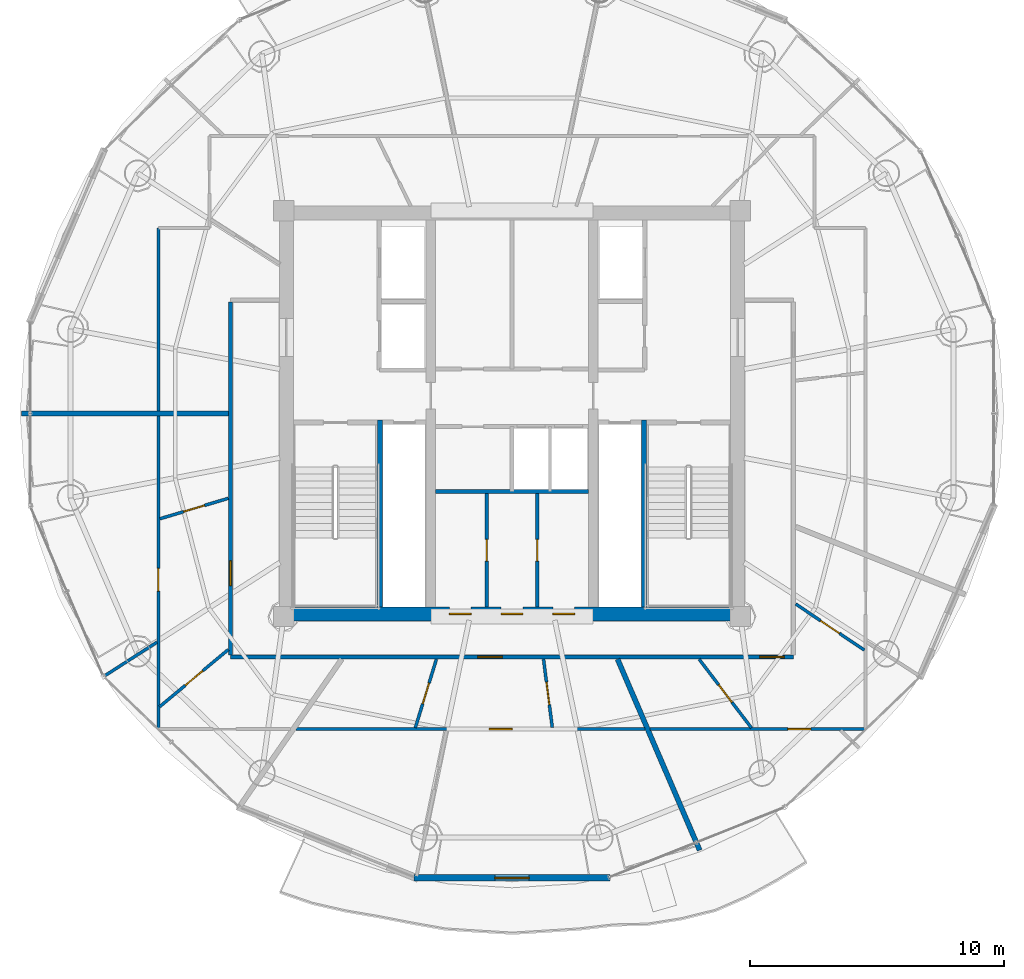
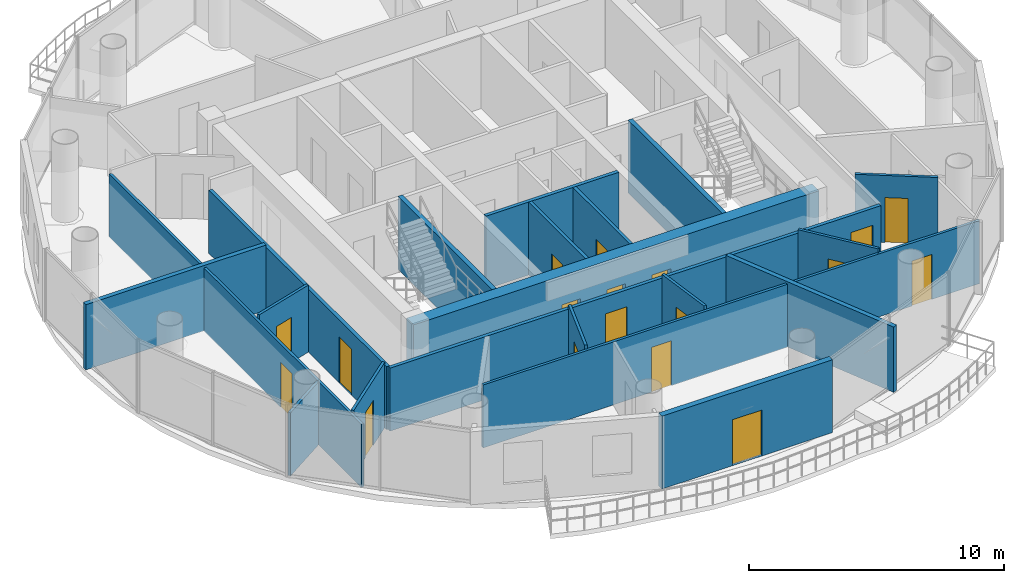
# One storey, part 18 of 24: 22 walls, 18 doors, 18 openings.
"""IFC4 building model written with IfcOpenShell, lengths in metres."""

import ifcopenshell
import ifcopenshell.guid

model = None  # the IFC model being written
_history = None  # IfcOwnerHistory: only IFC2X3 demands one
_inside = {}  # id of a spatial element -> (the spatial element, [elements in it])
_under = {}  # id of a project, library or spatial element -> (it, [spatial elements below it])
_declared = {}  # id of a project -> (the project, [libraries it declares])
_typed = {}  # id of a type object -> (the type object, [elements of that type])
_made_of = {}  # id of a material, layer set ... -> (it, [elements and type objects made of it])


def new_model(schema):
    """Start an empty IFC model of exactly this schema.

    Asked for "IFC4X3", IfcOpenShell would pick the latest addendum, in which some entities
    have other attributes; the version numbers below select the first issue.
    IFC2X3 requires an IfcOwnerHistory on every rooted entity: one is made here for all.
    """
    global model, _history
    if schema == "IFC4X3":
        model = ifcopenshell.file(schema_version=(4, 3, 0, 0))
    else:
        model = ifcopenshell.file(schema=schema)
    _inside.clear()
    _under.clear()
    _declared.clear()
    _typed.clear()
    _made_of.clear()
    _history = None
    if model.schema == "IFC2X3":
        org = make("IfcOrganization", Name="unknown")
        user = make(
            "IfcPersonAndOrganization",
            ThePerson=make("IfcPerson", FamilyName="unknown"),
            TheOrganization=org,
        )
        app = make(
            "IfcApplication",
            ApplicationDeveloper=org,
            Version="unknown",
            ApplicationFullName="unknown",
            ApplicationIdentifier="unknown",
        )
        _history = make(
            "IfcOwnerHistory",
            OwningUser=user,
            OwningApplication=app,
            ChangeAction="ADDED",
            CreationDate=0,
        )
    return model


def make(cls, **values):
    """One entity of the class cls with the attributes given. An attribute that is None is left unset."""
    return model.create_entity(
        cls, **{name: value for name, value in values.items() if value is not None}
    )


def rooted(cls, **values):
    """An entity with a GlobalId (a new one), such as an element, a storey or a relation."""
    return make(cls, GlobalId=ifcopenshell.guid.new(), OwnerHistory=_history, **values)


def si_unit(unit_type, name, prefix=None):
    """IfcSIUnit, for example si_unit("LENGTHUNIT", "METRE", prefix="MILLI")."""
    return make("IfcSIUnit", UnitType=unit_type, Prefix=prefix, Name=name)


def assignment(units):
    """IfcUnitAssignment: the units of a project."""
    return None if units is None else make("IfcUnitAssignment", Units=units)


def point(xyz):
    """IfcCartesianPoint."""
    return None if xyz is None else make("IfcCartesianPoint", Coordinates=xyz)


def direction(xyz):
    """IfcDirection."""
    return None if xyz is None else make("IfcDirection", DirectionRatios=xyz)


def frame(location, z_axis=None, x_axis=None):
    """IfcAxis2Placement3D, a coordinate frame: its origin and axes. An axis left out is left unset."""
    return make(
        "IfcAxis2Placement3D",
        Location=point(location),
        Axis=direction(z_axis),
        RefDirection=direction(x_axis),
    )


def frame_2d(location, x_axis=None):
    """IfcAxis2Placement2D, a coordinate frame in the plane: its origin and x axis."""
    return make(
        "IfcAxis2Placement2D", Location=point(location), RefDirection=direction(x_axis)
    )


def origin():
    """The frame at (0, 0, 0) with its axes left unset."""
    return frame((0.0, 0.0, 0.0))


def place(relative_to, where):
    """IfcLocalPlacement: puts the frame where relative to a parent placement (None: the world)."""
    return make(
        "IfcLocalPlacement", PlacementRelTo=relative_to, RelativePlacement=where
    )


def context(
    kind, dimensions, precision=None, world=None, true_north=None, identifier=None
):
    """IfcGeometricRepresentationContext, for example the 3D "Model" context."""
    return make(
        "IfcGeometricRepresentationContext",
        ContextIdentifier=identifier,
        ContextType=kind,
        CoordinateSpaceDimension=dimensions,
        Precision=precision,
        WorldCoordinateSystem=world,
        TrueNorth=true_north,
    )


def subcontext(parent, identifier, kind, view, scale=None):
    """IfcGeometricRepresentationSubContext, for example "Body" below "Model"."""
    return make(
        "IfcGeometricRepresentationSubContext",
        ContextIdentifier=identifier,
        ContextType=kind,
        ParentContext=parent,
        TargetScale=scale,
        TargetView=view,
    )


def project(units=None, contexts=None):
    """IfcProject with its units and contexts."""
    return rooted(
        "IfcProject",
        Name="project",
        RepresentationContexts=contexts,
        UnitsInContext=assignment(units),
    )


def spatial(cls, under=None, at=None, **own):
    """A site, building, storey or space (cls), placed at a placement, below another one or the project."""
    s = rooted(cls, ObjectPlacement=at, **own)
    if under is not None:
        _under.setdefault(under.id(), (under, []))[1].append(s)
    return s


def profile(cls, at=None, kind="AREA", **sizes):
    """A parametric profile (cls). Its sizes go by their IFC names, for example OverallWidth=200.0."""
    return make(cls, ProfileType=kind, Position=at, **sizes)


def rectangle(**sizes):
    """IfcRectangleProfileDef."""
    return profile("IfcRectangleProfileDef", **sizes)


def extrude(swept, where, along, depth):
    """IfcExtrudedAreaSolid: the profile swept, set in the frame where, extruded along a direction by depth."""
    return make(
        "IfcExtrudedAreaSolid",
        SweptArea=swept,
        Position=where,
        ExtrudedDirection=direction(along),
        Depth=depth,
    )


def shape(context_of_items, identifier, shape_type, items):
    """IfcShapeRepresentation: the items that make up one representation, for example the "Body"."""
    return make(
        "IfcShapeRepresentation",
        ContextOfItems=context_of_items,
        RepresentationIdentifier=identifier,
        RepresentationType=shape_type,
        Items=items,
    )


def source(mapping_origin, context_of_items, identifier, shape_type, items):
    """IfcRepresentationMap: a shape defined once, which mapped items show again and again."""
    return make(
        "IfcRepresentationMap",
        MappingOrigin=mapping_origin,
        MappedRepresentation=shape(context_of_items, identifier, shape_type, items),
    )


def transform(
    local_origin,
    x_axis=None,
    y_axis=None,
    z_axis=None,
    scale=None,
    scale2=None,
    scale3=None,
    uniform=True,
):
    """IfcCartesianTransformationOperator3D, or its non-uniform kind. x_axis, y_axis, z_axis: its Axis1, 2, 3."""
    if uniform:
        return make(
            "IfcCartesianTransformationOperator3D",
            Axis1=direction(x_axis),
            Axis2=direction(y_axis),
            LocalOrigin=point(local_origin),
            Scale=scale,
            Axis3=direction(z_axis),
        )
    return make(
        "IfcCartesianTransformationOperator3DnonUniform",
        Axis1=direction(x_axis),
        Axis2=direction(y_axis),
        LocalOrigin=point(local_origin),
        Scale=scale,
        Axis3=direction(z_axis),
        Scale2=scale2,
        Scale3=scale3,
    )


def mapped(mapping_source, mapping_target):
    """IfcMappedItem: shows the shape of a source again, moved by a transform."""
    return make(
        "IfcMappedItem", MappingSource=mapping_source, MappingTarget=mapping_target
    )


def material(Name=None, Category=None):
    """IfcMaterial."""
    return make("IfcMaterial", Name=Name, Category=Category)


def layer(
    of_material, thickness, ventilated=None, Name=None, Category=None, Priority=None
):
    """IfcMaterialLayer: one layer of a wall or slab, of a material (None: an air gap)."""
    return make(
        "IfcMaterialLayer",
        Material=of_material,
        LayerThickness=thickness,
        IsVentilated=ventilated,
        Name=Name,
        Category=Category,
        Priority=Priority,
    )


def layer_set(layers, Name=None):
    """IfcMaterialLayerSet."""
    return make("IfcMaterialLayerSet", MaterialLayers=layers, LayerSetName=Name)


def made_of(thing, what):
    """Note that an element or type object is made of a material, layer set ...; save() writes the relation."""
    if what is not None:
        _made_of.setdefault(what.id(), (what, []))[1].append(thing)
    return thing


def type_object(cls, material=None, **own):
    """A type object (cls), such as IfcWallType, which elements share."""
    return made_of(rooted(cls, **own), material)


def element(
    cls,
    number,
    at=None,
    inside=None,
    cuts=None,
    type_object=None,
    material=None,
    context=None,
    identifier="Body",
    shape_type=None,
    held_by="IfcProductDefinitionShape",
    body=None,
    shapes=None,
    **own,
):
    """One element of the class cls, such as IfcWall. Its Tag is "e" and its number.

    at: its placement. inside: the storey or other place that contains it. cuts: it is an
    opening in that element (IfcRelVoidsElement). A single representation is given by context,
    identifier, shape_type and body (its items); several are given by shapes. held_by: the class
    of the entity that holds the representations. save() writes the other relations.
    """
    e = rooted(cls, Tag="e%d" % number, ObjectPlacement=at, **own)
    if body is not None:
        shapes = [shape(context, identifier, shape_type, body)]
    if shapes is not None:
        e.Representation = make(held_by, Representations=shapes)
    if inside is not None:
        _inside.setdefault(inside.id(), (inside, []))[1].append(e)
    if cuts is not None:
        rooted(
            "IfcRelVoidsElement", RelatingBuildingElement=cuts, RelatedOpeningElement=e
        )
    if type_object is not None:
        _typed.setdefault(type_object.id(), (type_object, []))[1].append(e)
    return made_of(e, material)


def fill(opening, filler):
    """IfcRelFillsElement: the door or window that sits in an opening."""
    return rooted(
        "IfcRelFillsElement",
        RelatingOpeningElement=opening,
        RelatedBuildingElement=filler,
    )


def aggregate(whole, parts):
    """IfcRelAggregates: a whole, such as a stair, and the parts it consists of."""
    return rooted("IfcRelAggregates", RelatingObject=whole, RelatedObjects=parts)


def save(model, path):
    """Write the relations noted so far, then the file.

    IfcRelAggregates (storeys below a building ...), IfcRelContainedInSpatialStructure (elements
    in a storey), IfcRelDefinesByType, IfcRelAssociatesMaterial and IfcRelDeclares: one each for
    every whole, place, type object, material and project.
    """
    for whole, parts in _under.values():
        aggregate(whole, parts)
    for where, things in _inside.values():
        rooted(
            "IfcRelContainedInSpatialStructure",
            RelatedElements=things,
            RelatingStructure=where,
        )
    for kind, things in _typed.values():
        rooted("IfcRelDefinesByType", RelatedObjects=things, RelatingType=kind)
    for what, things in _made_of.values():
        rooted("IfcRelAssociatesMaterial", RelatedObjects=things, RelatingMaterial=what)
    for by, libraries in _declared.values():
        rooted("IfcRelDeclares", RelatingContext=by, RelatedDefinitions=libraries)
    model.write(path)


model = new_model("IFC4")

# Units and contexts
model_context = context("Model", 3, precision=1e-05, world=origin(), true_north=direction((-0.2419218956, 0.970295726276)))
body_context = subcontext(model_context, "Body", "Model", "MODEL_VIEW")
ifc_project = project(units=[si_unit("LENGTHUNIT", "METRE"), si_unit("AREAUNIT", "SQUARE_METRE"), si_unit("VOLUMEUNIT", "CUBIC_METRE"), si_unit("PLANEANGLEUNIT", "RADIAN"), si_unit("MASSUNIT", "GRAM", prefix="KILO")], contexts=[model_context])

# Site, building, storey
site_placement = place(None, origin())
site = spatial("IfcSite", under=ifc_project, at=site_placement, CompositionType="ELEMENT")
building_placement = place(site_placement, origin())
building = spatial("IfcBuilding", under=site, at=building_placement, Name="Cobrevalo Terracotta Tower", CompositionType="ELEMENT")
storey_placement = place(building_placement, frame((0.0, 0.0, 274.449951171875)))
storey = spatial("IfcBuildingStorey", under=building, at=storey_placement, Name="L72", CompositionType="ELEMENT", Elevation=274.449951171875)

# Wall, openings, doors
ifc_material_1 = material(Name="Concrete C50", Category="concrete")
ifc_layer_1 = layer(ifc_material_1, 0.550048828125)
ifc_layer_set_1 = layer_set([ifc_layer_1], Name="Concrete C50")
wall_type_1 = type_object("IfcWallType", Name="Core shear wall 550 mm Concrete C50", PredefinedType="SHEAR", material=ifc_layer_set_1)
wall_1_placement = place(storey_placement, frame((28.824951171875, 18.89990234375, 0.0), z_axis=(0.0, 0.0, 1.0), x_axis=(1.0, 0.0, 0.0)))
wall_1 = element("IfcWall", 1, at=wall_1_placement, inside=storey, type_object=wall_type_1, Name="L72 south core shear wall", PredefinedType="SHEAR", context=body_context, shape_type="SweptSolid", body=[
    extrude(rectangle(XDim=18.35009765625, YDim=0.550048828125, at=frame_2d((9.175048828125, 0.0))), origin(), (0.0, 0.0, 1.0), 3.489990234375),
])
opening_1_placement = place(wall_1_placement, frame((6.7099609375, 0.0, 0.0)))
opening_1 = element("IfcOpeningElement", 2, at=opening_1_placement, cuts=wall_1, Name="Opening ID-22", PredefinedType="OPENING", context=body_context, shape_type="SweptSolid", body=[
    extrude(rectangle(XDim=0.85009765625, YDim=2.10009765625, at=frame_2d((0.425048828125, 1.050048828125))), frame((0.0, 0.28515625, 0.0), z_axis=(0.0, -1.0, 0.0), x_axis=(1.0, 0.0, 0.0)), (0.0, 0.0, 1.0), 0.570068359375),
])
opening_2_placement = place(wall_1_placement, frame((8.75, 0.0, 0.0)))
opening_2 = element("IfcOpeningElement", 3, at=opening_2_placement, cuts=wall_1, Name="Opening ID-22", PredefinedType="OPENING", context=body_context, shape_type="SweptSolid", body=[
    extrude(rectangle(XDim=0.85009765625, YDim=2.10009765625, at=frame_2d((0.425048828125, 1.050048828125))), frame((0.0, 0.28515625, 0.0), z_axis=(0.0, -1.0, 0.0), x_axis=(1.0, 0.0, 0.0)), (0.0, 0.0, 1.0), 0.570068359375),
])
opening_3_placement = place(wall_1_placement, frame((10.7900390625, 0.0, 0.0)))
opening_3 = element("IfcOpeningElement", 4, at=opening_3_placement, cuts=wall_1, Name="Opening ID-22", PredefinedType="OPENING", context=body_context, shape_type="SweptSolid", body=[
    extrude(rectangle(XDim=0.85009765625, YDim=2.10009765625, at=frame_2d((0.425048828125, 1.050048828125))), frame((0.0, 0.28515625, 0.0), z_axis=(0.0, -1.0, 0.0), x_axis=(1.0, 0.0, 0.0)), (0.0, 0.0, 1.0), 0.570068359375),
])
ifc_material_2 = material(Name="Powder-coated steel", Category="steel")
door_type_1 = type_object("IfcDoorType", Name="Riser shaft & meter closet fire access door 850x2100 EI 60", OperationType="NOTDEFINED", PredefinedType="DOOR", material=ifc_material_2)
shared_shape_1 = source(origin(), body_context, "Body", "SweptSolid", [
    extrude(rectangle(XDim=0.85009765625, YDim=2.10009765625, at=frame_2d((0.425048828125, 1.050048828125))), frame((0.0, 0.02490234375, 0.0), z_axis=(0.0, -1.0, 0.0), x_axis=(1.0, 0.0, 0.0)), (0.0, 0.0, 1.0), 0.050048828125),
])
door_1_placement = place(opening_1_placement, origin())
door_1 = element("IfcDoor", 5, at=door_1_placement, inside=storey, type_object=door_type_1, Name="L72 core south plant door HVAC Supply Air Plant", OperationType="SINGLE_SWING_RIGHT", OverallHeight=2.10009765625, OverallWidth=0.85009765625, PredefinedType="DOOR", context=body_context, shape_type="MappedRepresentation", body=[
    mapped(shared_shape_1, transform((0.0, 0.0, 0.0), scale=1.0)),
])
fill(opening_1, door_1)
door_2_placement = place(opening_2_placement, origin())
door_2 = element("IfcDoor", 6, at=door_2_placement, inside=storey, type_object=door_type_1, Name="L72 core south plant door Refuse Chute Store Room", OperationType="SINGLE_SWING_RIGHT", OverallHeight=2.10009765625, OverallWidth=0.85009765625, PredefinedType="DOOR", context=body_context, shape_type="MappedRepresentation", body=[
    mapped(shared_shape_1, transform((0.0, 0.0, 0.0), scale=1.0)),
])
fill(opening_2, door_2)
door_3_placement = place(opening_3_placement, origin())
door_3 = element("IfcDoor", 7, at=door_3_placement, inside=storey, type_object=door_type_1, Name="L72 core south plant door Hydronic Pump Manifold Plant", OperationType="SINGLE_SWING_RIGHT", OverallHeight=2.10009765625, OverallWidth=0.85009765625, PredefinedType="DOOR", context=body_context, shape_type="MappedRepresentation", body=[
    mapped(shared_shape_1, transform((0.0, 0.0, 0.0), scale=1.0)),
])
fill(opening_3, door_3)

# Wall
ifc_material_3 = material(Name="Gypsum board on steel stud", Category="steel")
ifc_layer_2 = layer(ifc_material_3, 0.159912109375)
ifc_layer_set_2 = layer_set([ifc_layer_2], Name="Gypsum board on steel stud")
wall_type_2 = type_object("IfcWallType", Name="Fire-rated corridor acoustic partition wall 160 mm", PredefinedType="PARTITIONING", material=ifc_layer_set_2)
wall_2_placement = place(storey_placement, frame((34.989990234375, 23.719970703125, 0.0), z_axis=(0.0, 0.0, 1.0), x_axis=(1.0, 0.0, 0.0)))
element("IfcWall", 8, at=wall_2_placement, inside=storey, type_object=wall_type_2, Name="L72 interior partition IW-L72-MB-S", PredefinedType="PARTITIONING", context=body_context, shape_type="SweptSolid", body=[
    extrude(rectangle(XDim=6.02001953125, YDim=0.159912109375, at=frame_2d((3.010009765625, 0.0))), origin(), (0.0, 0.0, 1.0), 3.489990234375),
])

# Wall, openings, doors
wall_3_placement = place(storey_placement, frame((26.89501953125, 17.195068359375, 0.0), z_axis=(0.0, 0.0, 1.0), x_axis=(1.0, 0.0, 0.0)))
wall_3 = element("IfcWall", 9, at=wall_3_placement, inside=storey, type_object=wall_type_2, Name="L72 interior partition IW-L72-COR-S", PredefinedType="PARTITIONING", context=body_context, shape_type="SweptSolid", body=[
    extrude(rectangle(XDim=22.2099609375, YDim=0.159912109375, at=frame_2d((11.10498046875, 0.0))), origin(), (0.0, 0.0, 1.0), 3.01513671875),
])
opening_4_placement = place(wall_3_placement, frame((9.746337890625, 0.0, 0.0)))
opening_4 = element("IfcOpeningElement", 10, at=opening_4_placement, cuts=wall_3, Name="Opening ID-05", PredefinedType="OPENING", context=body_context, shape_type="SweptSolid", body=[
    extrude(rectangle(XDim=0.97998046875, YDim=2.199951171875, at=frame_2d((0.489990234375, 1.10009765625))), frame((0.0, 0.08984375, 0.0), z_axis=(0.0, -1.0, 0.0), x_axis=(1.0, 0.0, 0.0)), (0.0, 0.0, 1.0), 0.179931640625),
])
opening_5_placement = place(wall_3_placement, frame((20.8642578125, 0.0, 0.0)))
opening_5 = element("IfcOpeningElement", 11, at=opening_5_placement, cuts=wall_3, Name="Opening ID-05", PredefinedType="OPENING", context=body_context, shape_type="SweptSolid", body=[
    extrude(rectangle(XDim=0.97998046875, YDim=2.199951171875, at=frame_2d((0.489990234375, 1.10009765625))), frame((0.0, 0.08984375, 0.0), z_axis=(0.0, -1.0, 0.0), x_axis=(1.0, 0.0, 0.0)), (0.0, 0.0, 1.0), 0.179931640625),
])
ifc_material_4 = material(Name="Solid hardwood timber", Category="wood")
door_type_2 = type_object("IfcDoorType", Name="Residence entrance fire-rated acoustic timber door 980x2200 EI 60", OperationType="NOTDEFINED", PredefinedType="DOOR", material=ifc_material_4)
shared_shape_2 = source(origin(), body_context, "Body", "SweptSolid", [
    extrude(rectangle(XDim=0.97998046875, YDim=2.199951171875, at=frame_2d((0.489990234375, 1.10009765625))), frame((0.0, 0.02490234375, 0.0), z_axis=(0.0, -1.0, 0.0), x_axis=(1.0, 0.0, 0.0)), (0.0, 0.0, 1.0), 0.050048828125),
])
door_4_placement = place(opening_4_placement, frame((0.97998046875, 0.0, 0.0), z_axis=(0.0, 0.0, 1.0), x_axis=(-1.0, 0.0, 0.0)))
door_4 = element("IfcDoor", 12, at=door_4_placement, inside=storey, type_object=door_type_2, Name="Flat L72C fire-rated apartment entrance door", OperationType="SINGLE_SWING_LEFT", OverallHeight=2.199951171875, OverallWidth=0.97998046875, PredefinedType="DOOR", context=body_context, shape_type="MappedRepresentation", body=[
    mapped(shared_shape_2, transform((0.0, 0.0, 0.0), scale=1.0)),
])
fill(opening_4, door_4)
door_5_placement = place(opening_5_placement, frame((0.97998046875, 0.0, 0.0), z_axis=(0.0, 0.0, 1.0), x_axis=(-1.0, 0.0, 0.0)))
door_5 = element("IfcDoor", 13, at=door_5_placement, inside=storey, type_object=door_type_2, Name="Flat L72D fire-rated apartment entrance door", OperationType="SINGLE_SWING_RIGHT", OverallHeight=2.199951171875, OverallWidth=0.97998046875, PredefinedType="DOOR", context=body_context, shape_type="MappedRepresentation", body=[
    mapped(shared_shape_2, transform((0.0, 0.0, 0.0), scale=1.0)),
])
fill(opening_5, door_5)

# Wall, opening, door
wall_4_placement = place(storey_placement, frame((26.89501953125, 17.27490234375, 0.0), z_axis=(0.0, 0.0, 1.0), x_axis=(0.0, 1.0, 0.0)))
wall_4 = element("IfcWall", 14, at=wall_4_placement, inside=storey, type_object=wall_type_2, Name="L72 interior partition IW-L72-COR-W", PredefinedType="PARTITIONING", context=body_context, shape_type="SweptSolid", body=[
    extrude(rectangle(XDim=13.925048828125, YDim=0.159912109375, at=frame_2d((6.96240234375, 0.0))), origin(), (0.0, 0.0, 1.0), 3.01513671875),
])
opening_6_placement = place(wall_4_placement, frame((2.734619140625, 0.0, 0.0)))
opening_6 = element("IfcOpeningElement", 15, at=opening_6_placement, cuts=wall_4, Name="Opening ID-05", PredefinedType="OPENING", context=body_context, shape_type="SweptSolid", body=[
    extrude(rectangle(XDim=0.97998046875, YDim=2.199951171875, at=frame_2d((0.489990234375, 1.10009765625))), frame((0.0, 0.08984375, 0.0), z_axis=(0.0, -1.0, 0.0), x_axis=(1.0, 0.0, 0.0)), (0.0, 0.0, 1.0), 0.179931640625),
])
door_6_placement = place(opening_6_placement, origin())
door_6 = element("IfcDoor", 16, at=door_6_placement, inside=storey, type_object=door_type_2, Name="Flat L72B fire-rated apartment entrance door", OperationType="SINGLE_SWING_RIGHT", OverallHeight=2.199951171875, OverallWidth=0.97998046875, PredefinedType="DOOR", context=body_context, shape_type="MappedRepresentation", body=[
    mapped(shared_shape_2, transform((0.0, 0.0, 0.0), scale=1.0)),
])
fill(opening_6, door_6)

# Walls
ifc_material_5 = material(Name="Autoclaved aerated concrete block", Category="concrete")
ifc_layer_3 = layer(ifc_material_5, 0.199951171875)
ifc_layer_set_3 = layer_set([ifc_layer_3], Name="Autoclaved aerated concrete block")
wall_type_3 = type_object("IfcWallType", Name="Fire-rated stair, shaft & demising masonry wall 200 mm", PredefinedType="PARTITIONING", material=ifc_layer_set_3)
wall_5_placement = place(storey_placement, frame((26.81494140625, 26.800048828125, 0.0), z_axis=(0.0, 0.0, 1.0), x_axis=(-1.0, 0.0, 0.0)))
element("IfcWall", 17, at=wall_5_placement, inside=storey, type_object=wall_type_3, Name="L72 interior partition IW-L72-DEM-2", PredefinedType="PARTITIONING", context=body_context, shape_type="SweptSolid", body=[
    extrude(rectangle(XDim=8.155029296875, YDim=0.199951171875, at=frame_2d((4.07763671875, 0.0))), origin(), (0.0, 0.0, 1.0), 3.12109375),
])
wall_6_placement = place(storey_placement, frame((42.161865234375, 17.114990234375, 0.0), z_axis=(0.0, 0.0, 1.0), x_axis=(0.394795631127, -0.918768964236, 0.0)))
element("IfcWall", 18, at=wall_6_placement, inside=storey, type_object=wall_type_3, Name="L72 interior partition IW-L72-DEM-4", PredefinedType="PARTITIONING", context=body_context, shape_type="SweptSolid", body=[
    extrude(rectangle(XDim=8.202392578125, YDim=0.199951171875, at=frame_2d((4.10107421875, 0.0))), origin(), (0.0, 0.0, 1.0), 3.12109375),
])

# Wall, opening, door
ifc_layer_4 = layer(ifc_material_5, 0.139892578125)
ifc_layer_set_4 = layer_set([ifc_layer_4], Name="Autoclaved aerated concrete block")
wall_type_4 = type_object("IfcWallType", Name="Moisture-resistant wet-room & core service partition 140 mm", PredefinedType="PARTITIONING", material=ifc_layer_set_4)
wall_7_placement = place(storey_placement, frame((37.0, 19.175048828125, 0.0), z_axis=(0.0, 0.0, 1.0), x_axis=(0.0, 1.0, 0.0)))
wall_7 = element("IfcWall", 19, at=wall_7_placement, inside=storey, type_object=wall_type_4, Name="L72 interior partition IW-L72-KVS-V1", PredefinedType="PARTITIONING", context=body_context, shape_type="SweptSolid", body=[
    extrude(rectangle(XDim=4.46484375, YDim=0.139892578125, at=frame_2d((2.232421875, 0.0))), origin(), (0.0, 0.0, 1.0), 3.489990234375),
])
opening_7_placement = place(wall_7_placement, frame((1.8076171875, 0.0, 0.0)))
opening_7 = element("IfcOpeningElement", 20, at=opening_7_placement, cuts=wall_7, Name="Opening ID-22", PredefinedType="OPENING", context=body_context, shape_type="SweptSolid", body=[
    extrude(rectangle(XDim=0.85009765625, YDim=2.10009765625, at=frame_2d((0.425048828125, 1.050048828125))), frame((0.0, 0.080078125, 0.0), z_axis=(0.0, -1.0, 0.0), x_axis=(1.0, 0.0, 0.0)), (0.0, 0.0, 1.0), 0.159912109375),
])
door_7_placement = place(opening_7_placement, origin())
door_7 = element("IfcDoor", 21, at=door_7_placement, inside=storey, type_object=door_type_1, Name="L72 core KVS-V1 inner door", OperationType="SINGLE_SWING_LEFT", OverallHeight=2.10009765625, OverallWidth=0.85009765625, PredefinedType="DOOR", context=body_context, shape_type="MappedRepresentation", body=[
    mapped(shared_shape_1, transform((0.0, 0.0, 0.0), scale=1.0)),
])
fill(opening_7, door_7)

wall_8_placement = place(storey_placement, frame((39.0, 19.175048828125, 0.0), z_axis=(0.0, 0.0, 1.0), x_axis=(0.0, 1.0, 0.0)))
wall_8 = element("IfcWall", 22, at=wall_8_placement, inside=storey, type_object=wall_type_4, Name="L72 interior partition IW-L72-KVS-V2", PredefinedType="PARTITIONING", context=body_context, shape_type="SweptSolid", body=[
    extrude(rectangle(XDim=4.46484375, YDim=0.139892578125, at=frame_2d((2.232421875, 0.0))), origin(), (0.0, 0.0, 1.0), 3.489990234375),
])
opening_8_placement = place(wall_8_placement, frame((1.8076171875, 0.0, 0.0)))
opening_8 = element("IfcOpeningElement", 23, at=opening_8_placement, cuts=wall_8, Name="Opening ID-22", PredefinedType="OPENING", context=body_context, shape_type="SweptSolid", body=[
    extrude(rectangle(XDim=0.85009765625, YDim=2.10009765625, at=frame_2d((0.425048828125, 1.050048828125))), frame((0.0, 0.080078125, 0.0), z_axis=(0.0, -1.0, 0.0), x_axis=(1.0, 0.0, 0.0)), (0.0, 0.0, 1.0), 0.159912109375),
])
door_8_placement = place(opening_8_placement, origin())
door_8 = element("IfcDoor", 24, at=door_8_placement, inside=storey, type_object=door_type_1, Name="L72 core KVS-V2 inner door", OperationType="SINGLE_SWING_LEFT", OverallHeight=2.10009765625, OverallWidth=0.85009765625, PredefinedType="DOOR", context=body_context, shape_type="MappedRepresentation", body=[
    mapped(shared_shape_1, transform((0.0, 0.0, 0.0), scale=1.0)),
])
fill(opening_8, door_8)

ifc_layer_5 = layer(ifc_material_5, 0.260009765625)
ifc_layer_set_5 = layer_set([ifc_layer_5], Name="Autoclaved aerated concrete block")
wall_type_5 = type_object("IfcWallType", Name="Recessed balcony loggia insulated exterior wall 260 mm", PredefinedType="SOLIDWALL", material=ifc_layer_set_5)
wall_9_placement = place(storey_placement, frame((34.14111328125, 8.48876953125, 0.0), z_axis=(0.0, 0.0, 1.0), x_axis=(1.0, 0.0, 0.0)))
wall_9 = element("IfcWall", 25, at=wall_9_placement, inside=storey, type_object=wall_type_5, Name="L72 balcony loggia wall S12", PredefinedType="SOLIDWALL", context=body_context, shape_type="SweptSolid", body=[
    extrude(rectangle(XDim=7.7177734375, YDim=0.260009765625, at=frame_2d((3.85888671875, 0.0))), origin(), (0.0, 0.0, 1.0), 3.489990234375),
])
opening_9_placement = place(wall_9_placement, frame((3.183837890625, 0.0, 0.0)))
opening_9 = element("IfcOpeningElement", 26, at=opening_9_placement, cuts=wall_9, Name="Opening ED-05", PredefinedType="OPENING", context=body_context, shape_type="SweptSolid", body=[
    extrude(rectangle(XDim=1.35009765625, YDim=2.199951171875, at=frame_2d((0.675048828125, 1.10009765625))), frame((0.0, 0.14013671875, 0.0), z_axis=(0.0, -1.0, 0.0), x_axis=(1.0, 0.0, 0.0)), (0.0, 0.0, 1.0), 0.280029296875),
])
ifc_material_6 = material(Name="Anodized aluminium and laminated glass", Category="aluminium")
door_type_3 = type_object("IfcDoorType", Name="Suite balcony acoustic glazed terrace door 1350x2200", OperationType="NOTDEFINED", PredefinedType="DOOR", material=ifc_material_6)
shared_shape_3 = source(origin(), body_context, "Body", "SweptSolid", [
    extrude(rectangle(XDim=1.35009765625, YDim=2.199951171875, at=frame_2d((0.675048828125, 1.10009765625))), frame((0.0, 0.02490234375, 0.0), z_axis=(0.0, -1.0, 0.0), x_axis=(1.0, 0.0, 0.0)), (0.0, 0.0, 1.0), 0.050048828125),
])
door_9_placement = place(opening_9_placement, frame((1.35009765625, 0.0, 0.0), z_axis=(0.0, 0.0, 1.0), x_axis=(-1.0, 0.0, 0.0)))
door_9 = element("IfcDoor", 27, at=door_9_placement, inside=storey, type_object=door_type_3, Name="L72 glazed balcony terrace door 2", OperationType="SINGLE_SWING_RIGHT", OverallHeight=2.199951171875, OverallWidth=1.35009765625, PredefinedType="DOOR", context=body_context, shape_type="MappedRepresentation", body=[
    mapped(shared_shape_3, transform((0.0, 0.0, 0.0), scale=1.0)),
])
fill(opening_9, door_9)

# Wall
ifc_layer_6 = layer(ifc_material_3, 0.1201171875)
ifc_layer_set_6 = layer_set([ifc_layer_6], Name="Gypsum board on steel stud")
wall_type_6 = type_object("IfcWallType", Name="Residential internal acoustic stud partition 120 mm", PredefinedType="PARTITIONING", material=ifc_layer_set_6)
wall_10_placement = place(storey_placement, frame((24.054931640625, 26.902099609375, 0.0), z_axis=(0.0, 0.0, 1.0), x_axis=(0.0, 1.0, 0.0)))
element("IfcWall", 28, at=wall_10_placement, inside=storey, type_object=wall_type_6, Name="L72 interior partition IW-L72-U1-RING0_0", PredefinedType="PARTITIONING", context=body_context, shape_type="SweptSolid", body=[
    extrude(rectangle(XDim=7.218017578125, YDim=0.1201171875, at=frame_2d((3.60888671875, 0.0))), origin(), (0.0, 0.0, 1.0), 3.01513671875),
])

# Wall, opening, door
wall_11_placement = place(storey_placement, frame((24.054931640625, 14.35498046875, 0.0), z_axis=(0.0, 0.0, 1.0), x_axis=(0.0, 1.0, 0.0)))
wall_11 = element("IfcWall", 29, at=wall_11_placement, inside=storey, type_object=wall_type_6, Name="L72 interior partition IW-L72-U2-RING1_0", PredefinedType="PARTITIONING", context=body_context, shape_type="SweptSolid", body=[
    extrude(rectangle(XDim=12.343017578125, YDim=0.1201171875, at=frame_2d((6.17138671875, 0.0))), origin(), (0.0, 0.0, 1.0), 3.01513671875),
])
opening_10_placement = place(wall_11_placement, frame((5.442138671875, 0.0, 0.0)))
opening_10 = element("IfcOpeningElement", 30, at=opening_10_placement, cuts=wall_11, Name="Opening ID-12", PredefinedType="OPENING", context=body_context, shape_type="SweptSolid", body=[
    extrude(rectangle(XDim=0.89990234375, YDim=2.14990234375, at=frame_2d((0.449951171875, 1.074951171875))), frame((0.0, 0.070068359375, 0.0), z_axis=(0.0, -1.0, 0.0), x_axis=(1.0, 0.0, 0.0)), (0.0, 0.0, 1.0), 0.14013671875),
])
ifc_material_7 = material(Name="Engineered timber", Category="wood")
door_type_4 = type_object("IfcDoorType", Name="Internal residence & suite timber door 900x2150", OperationType="NOTDEFINED", PredefinedType="DOOR", material=ifc_material_7)
shared_shape_4 = source(origin(), body_context, "Body", "SweptSolid", [
    extrude(rectangle(XDim=0.89990234375, YDim=2.14990234375, at=frame_2d((0.449951171875, 1.074951171875))), frame((0.0, 0.02490234375, 0.0), z_axis=(0.0, -1.0, 0.0), x_axis=(1.0, 0.0, 0.0)), (0.0, 0.0, 1.0), 0.050048828125),
])
door_10_placement = place(opening_10_placement, origin())
door_10 = element("IfcDoor", 31, at=door_10_placement, inside=storey, type_object=door_type_4, Name="Flat L72B Living and Dining Room internal door", OperationType="SINGLE_SWING_RIGHT", OverallHeight=2.14990234375, OverallWidth=0.89990234375, PredefinedType="DOOR", context=body_context, shape_type="MappedRepresentation", body=[
    mapped(shared_shape_4, transform((0.0, 0.0, 0.0), scale=1.0)),
])
fill(opening_10, door_10)

# Wall
wall_12_placement = place(storey_placement, frame((24.0029296875, 17.784912109375, 0.0), z_axis=(0.0, 0.0, 1.0), x_axis=(-0.840715962824, -0.541476379774, 0.0)))
element("IfcWall", 32, at=wall_12_placement, inside=storey, type_object=wall_type_6, Name="L72 interior partition IW-L72-U2-ORAD1", PredefinedType="PARTITIONING", context=body_context, shape_type="SweptSolid", body=[
    extrude(rectangle(XDim=2.43701171875, YDim=0.1201171875, at=frame_2d((1.218505859375, 0.0))), origin(), (0.0, 0.0, 1.0), 3.01513671875),
])

# Wall, opening, door
wall_13_placement = place(storey_placement, frame((26.81494140625, 23.4560546875, 0.0), z_axis=(0.0, 0.0, 1.0), x_axis=(-0.958095258025, -0.286449780154, 0.0)))
wall_13 = element("IfcWall", 33, at=wall_13_placement, inside=storey, type_object=wall_type_6, Name="L72 interior partition IW-L72-U2-IRAD1", PredefinedType="PARTITIONING", context=body_context, shape_type="SweptSolid", body=[
    extrude(rectangle(XDim=2.818603515625, YDim=0.1201171875, at=frame_2d((1.4091796875, 0.0))), origin(), (0.0, 0.0, 1.0), 3.208984375),
])
opening_11_placement = place(wall_13_placement, frame((0.9794921875, 0.0, 0.0)))
opening_11 = element("IfcOpeningElement", 34, at=opening_11_placement, cuts=wall_13, Name="Opening ID-19", PredefinedType="OPENING", context=body_context, shape_type="SweptSolid", body=[
    extrude(rectangle(XDim=0.860107421875, YDim=2.14990234375, at=frame_2d((0.43017578125, 1.074951171875))), frame((0.0, 0.070068359375, 0.0), z_axis=(0.0, -1.0, 0.0), x_axis=(1.0, 0.0, 0.0)), (0.0, 0.0, 1.0), 0.14013671875),
])
ifc_material_8 = material(Name="Moisture-sealed timber", Category="wood")
door_type_5 = type_object("IfcDoorType", Name="Suite bathroom internal timber door 860x2150", OperationType="NOTDEFINED", PredefinedType="DOOR", material=ifc_material_8)
shared_shape_5 = source(origin(), body_context, "Body", "SweptSolid", [
    extrude(rectangle(XDim=0.860107421875, YDim=2.14990234375, at=frame_2d((0.43017578125, 1.074951171875))), frame((0.0, 0.02490234375, 0.0), z_axis=(0.0, -1.0, 0.0), x_axis=(1.0, 0.0, 0.0)), (0.0, 0.0, 1.0), 0.050048828125),
])
door_11_placement = place(opening_11_placement, frame((0.860107421875, 0.0, 0.0), z_axis=(0.0, 0.0, 1.0), x_axis=(-1.0, 0.0, 0.0)))
door_11 = element("IfcDoor", 35, at=door_11_placement, inside=storey, type_object=door_type_5, Name="Flat L72B Primary Bathroom internal door", OperationType="SINGLE_SWING_LEFT", OverallHeight=2.14990234375, OverallWidth=0.860107421875, PredefinedType="DOOR", context=body_context, shape_type="MappedRepresentation", body=[
    mapped(shared_shape_5, transform((0.0, 0.0, 0.0), scale=1.0)),
])
fill(opening_11, door_11)

wall_14_placement = place(storey_placement, frame((26.81494140625, 17.493408203125, 0.0), z_axis=(0.0, 0.0, 1.0), x_axis=(-0.768708794437, -0.639598928513, 0.0)))
wall_14 = element("IfcWall", 36, at=wall_14_placement, inside=storey, type_object=wall_type_6, Name="L72 interior partition IW-L72-U2-IRAD2", PredefinedType="PARTITIONING", context=body_context, shape_type="SweptSolid", body=[
    extrude(rectangle(XDim=3.528564453125, YDim=0.1201171875, at=frame_2d((1.76416015625, 0.0))), origin(), (0.0, 0.0, 1.0), 3.12109375),
])
opening_12_placement = place(wall_14_placement, frame((1.314208984375, 0.0, 0.0)))
opening_12 = element("IfcOpeningElement", 37, at=opening_12_placement, cuts=wall_14, Name="Opening ID-12", PredefinedType="OPENING", context=body_context, shape_type="SweptSolid", body=[
    extrude(rectangle(XDim=0.89990234375, YDim=2.14990234375, at=frame_2d((0.449951171875, 1.074951171875))), frame((0.0, 0.070068359375, 0.0), z_axis=(0.0, -1.0, 0.0), x_axis=(1.0, 0.0, 0.0)), (0.0, 0.0, 1.0), 0.14013671875),
])
door_12_placement = place(opening_12_placement, origin())
door_12 = element("IfcDoor", 38, at=door_12_placement, inside=storey, type_object=door_type_4, Name="Flat L72B Kitchen internal door", OperationType="SINGLE_SWING_LEFT", OverallHeight=2.14990234375, OverallWidth=0.89990234375, PredefinedType="DOOR", context=body_context, shape_type="MappedRepresentation", body=[
    mapped(shared_shape_4, transform((0.0, 0.0, 0.0), scale=1.0)),
])
fill(opening_12, door_12)

wall_15_placement = place(storey_placement, frame((43.245849609375, 14.35498046875, 0.0), z_axis=(0.0, 0.0, 1.0), x_axis=(-1.0, 0.0, 0.0)))
wall_15 = element("IfcWall", 39, at=wall_15_placement, inside=storey, type_object=wall_type_6, Name="L72 interior partition IW-L72-U3-RING0_0", PredefinedType="PARTITIONING", context=body_context, shape_type="SweptSolid", body=[
    extrude(rectangle(XDim=13.7705078125, YDim=0.1201171875, at=frame_2d((6.88525390625, 0.0))), origin(), (0.0, 0.0, 1.0), 3.01513671875),
])
opening_13_placement = place(wall_15_placement, frame((5.244140625, 0.0, 0.0)))
opening_13 = element("IfcOpeningElement", 40, at=opening_13_placement, cuts=wall_15, Name="Opening ID-12", PredefinedType="OPENING", context=body_context, shape_type="SweptSolid", body=[
    extrude(rectangle(XDim=0.89990234375, YDim=2.14990234375, at=frame_2d((0.449951171875, 1.074951171875))), frame((0.0, 0.070068359375, 0.0), z_axis=(0.0, -1.0, 0.0), x_axis=(1.0, 0.0, 0.0)), (0.0, 0.0, 1.0), 0.14013671875),
])
door_13_placement = place(opening_13_placement, origin())
door_13 = element("IfcDoor", 41, at=door_13_placement, inside=storey, type_object=door_type_4, Name="Flat L72C Master Bedroom internal door", OperationType="SINGLE_SWING_RIGHT", OverallHeight=2.14990234375, OverallWidth=0.89990234375, PredefinedType="DOOR", context=body_context, shape_type="MappedRepresentation", body=[
    mapped(shared_shape_4, transform((0.0, 0.0, 0.0), scale=1.0)),
])
fill(opening_13, door_13)

wall_16_placement = place(storey_placement, frame((35.020263671875, 17.114990234375, 0.0), z_axis=(0.0, 0.0, 1.0), x_axis=(-0.294110134522, -0.955771535866, 0.0)))
wall_16 = element("IfcWall", 42, at=wall_16_placement, inside=storey, type_object=wall_type_6, Name="L72 interior partition IW-L72-U3-IRAD1", PredefinedType="PARTITIONING", context=body_context, shape_type="SweptSolid", body=[
    extrude(rectangle(XDim=2.82568359375, YDim=0.1201171875, at=frame_2d((1.412841796875, 0.0))), origin(), (0.0, 0.0, 1.0), 3.208984375),
])
opening_14_placement = place(wall_16_placement, frame((0.98291015625, 0.0, 0.0)))
opening_14 = element("IfcOpeningElement", 43, at=opening_14_placement, cuts=wall_16, Name="Opening ID-19", PredefinedType="OPENING", context=body_context, shape_type="SweptSolid", body=[
    extrude(rectangle(XDim=0.860107421875, YDim=2.14990234375, at=frame_2d((0.43017578125, 1.074951171875))), frame((0.0, 0.070068359375, 0.0), z_axis=(0.0, -1.0, 0.0), x_axis=(1.0, 0.0, 0.0)), (0.0, 0.0, 1.0), 0.14013671875),
])
door_14_placement = place(opening_14_placement, frame((0.860107421875, 0.0, 0.0), z_axis=(0.0, 0.0, 1.0), x_axis=(-1.0, 0.0, 0.0)))
door_14 = element("IfcDoor", 44, at=door_14_placement, inside=storey, type_object=door_type_5, Name="Flat L72C Primary Bathroom internal door", OperationType="SINGLE_SWING_RIGHT", OverallHeight=2.14990234375, OverallWidth=0.860107421875, PredefinedType="DOOR", context=body_context, shape_type="MappedRepresentation", body=[
    mapped(shared_shape_5, transform((0.0, 0.0, 0.0), scale=1.0)),
])
fill(opening_14, door_14)

wall_17_placement = place(storey_placement, frame((39.24267578125, 17.114990234375, 0.0), z_axis=(0.0, 0.0, 1.0), x_axis=(0.127336357758, -0.991859592882, 0.0)))
wall_17 = element("IfcWall", 45, at=wall_17_placement, inside=storey, type_object=wall_type_6, Name="L72 interior partition IW-L72-U3-IRAD2", PredefinedType="PARTITIONING", context=body_context, shape_type="SweptSolid", body=[
    extrude(rectangle(XDim=2.720703125, YDim=0.1201171875, at=frame_2d((1.3603515625, 0.0))), origin(), (0.0, 0.0, 1.0), 3.208984375),
])
opening_15_placement = place(wall_17_placement, frame((0.910400390625, 0.0, 0.0)))
opening_15 = element("IfcOpeningElement", 46, at=opening_15_placement, cuts=wall_17, Name="Opening ID-12", PredefinedType="OPENING", context=body_context, shape_type="SweptSolid", body=[
    extrude(rectangle(XDim=0.89990234375, YDim=2.14990234375, at=frame_2d((0.449951171875, 1.074951171875))), frame((0.0, 0.070068359375, 0.0), z_axis=(0.0, -1.0, 0.0), x_axis=(1.0, 0.0, 0.0)), (0.0, 0.0, 1.0), 0.14013671875),
])
door_15_placement = place(opening_15_placement, origin())
door_15 = element("IfcDoor", 47, at=door_15_placement, inside=storey, type_object=door_type_4, Name="Flat L72C Kitchen internal door", OperationType="SINGLE_SWING_LEFT", OverallHeight=2.14990234375, OverallWidth=0.89990234375, PredefinedType="DOOR", context=body_context, shape_type="MappedRepresentation", body=[
    mapped(shared_shape_4, transform((0.0, 0.0, 0.0), scale=1.0)),
])
fill(opening_15, door_15)

wall_18_placement = place(storey_placement, frame((51.945068359375, 14.35498046875, 0.0), z_axis=(0.0, 0.0, 1.0), x_axis=(-1.0, 0.0, 0.0)))
wall_18 = element("IfcWall", 48, at=wall_18_placement, inside=storey, type_object=wall_type_6, Name="L72 interior partition IW-L72-U4-RING1_0", PredefinedType="PARTITIONING", context=body_context, shape_type="SweptSolid", body=[
    extrude(rectangle(XDim=8.4951171875, YDim=0.1201171875, at=frame_2d((4.24755859375, 0.0))), origin(), (0.0, 0.0, 1.0), 3.01513671875),
])
opening_16_placement = place(wall_18_placement, frame((2.164306640625, 0.0, 0.0)))
opening_16 = element("IfcOpeningElement", 49, at=opening_16_placement, cuts=wall_18, Name="Opening ID-12", PredefinedType="OPENING", context=body_context, shape_type="SweptSolid", body=[
    extrude(rectangle(XDim=0.89990234375, YDim=2.14990234375, at=frame_2d((0.449951171875, 1.074951171875))), frame((0.0, 0.070068359375, 0.0), z_axis=(0.0, -1.0, 0.0), x_axis=(1.0, 0.0, 0.0)), (0.0, 0.0, 1.0), 0.14013671875),
])
door_16_placement = place(opening_16_placement, origin())
door_16 = element("IfcDoor", 50, at=door_16_placement, inside=storey, type_object=door_type_4, Name="Flat L72D Living and Dining Room internal door", OperationType="SINGLE_SWING_RIGHT", OverallHeight=2.14990234375, OverallWidth=0.89990234375, PredefinedType="DOOR", context=body_context, shape_type="MappedRepresentation", body=[
    mapped(shared_shape_4, transform((0.0, 0.0, 0.0), scale=1.0)),
])
fill(opening_16, door_16)

wall_19_placement = place(storey_placement, frame((45.376708984375, 17.114990234375, 0.0), z_axis=(0.0, 0.0, 1.0), x_axis=(0.60588776962, -0.795550130806, 0.0)))
wall_19 = element("IfcWall", 51, at=wall_19_placement, inside=storey, type_object=wall_type_6, Name="L72 interior partition IW-L72-U4-IRAD1", PredefinedType="PARTITIONING", context=body_context, shape_type="SweptSolid", body=[
    extrude(rectangle(XDim=3.4072265625, YDim=0.1201171875, at=frame_2d((1.70361328125, 0.0))), origin(), (0.0, 0.0, 1.0), 3.208984375),
])
opening_17_placement = place(wall_19_placement, frame((1.273681640625, 0.0, 0.0)))
opening_17 = element("IfcOpeningElement", 52, at=opening_17_placement, cuts=wall_19, Name="Opening ID-19", PredefinedType="OPENING", context=body_context, shape_type="SweptSolid", body=[
    extrude(rectangle(XDim=0.860107421875, YDim=2.14990234375, at=frame_2d((0.43017578125, 1.074951171875))), frame((0.0, 0.070068359375, 0.0), z_axis=(0.0, -1.0, 0.0), x_axis=(1.0, 0.0, 0.0)), (0.0, 0.0, 1.0), 0.14013671875),
])
door_17_placement = place(opening_17_placement, frame((0.860107421875, 0.0, 0.0), z_axis=(0.0, 0.0, 1.0), x_axis=(-1.0, 0.0, 0.0)))
door_17 = element("IfcDoor", 53, at=door_17_placement, inside=storey, type_object=door_type_5, Name="Flat L72D Primary Bathroom internal door", OperationType="SINGLE_SWING_LEFT", OverallHeight=2.14990234375, OverallWidth=0.860107421875, PredefinedType="DOOR", context=body_context, shape_type="MappedRepresentation", body=[
    mapped(shared_shape_5, transform((0.0, 0.0, 0.0), scale=1.0)),
])
fill(opening_17, door_17)

wall_20_placement = place(storey_placement, frame((49.18505859375, 19.290283203125, 0.0), z_axis=(0.0, 0.0, 1.0), x_axis=(0.830215193761, -0.557443030316, 0.0)))
wall_20 = element("IfcWall", 54, at=wall_20_placement, inside=storey, type_object=wall_type_6, Name="L72 interior partition IW-L72-U4-IRAD2", PredefinedType="PARTITIONING", context=body_context, shape_type="SweptSolid", body=[
    extrude(rectangle(XDim=3.262451171875, YDim=0.1201171875, at=frame_2d((1.63134765625, 0.0))), origin(), (0.0, 0.0, 1.0), 3.208984375),
])
opening_18_placement = place(wall_20_placement, frame((1.18115234375, 0.0, 0.0)))
opening_18 = element("IfcOpeningElement", 55, at=opening_18_placement, cuts=wall_20, Name="Opening ID-12", PredefinedType="OPENING", context=body_context, shape_type="SweptSolid", body=[
    extrude(rectangle(XDim=0.89990234375, YDim=2.14990234375, at=frame_2d((0.449951171875, 1.074951171875))), frame((0.0, 0.070068359375, 0.0), z_axis=(0.0, -1.0, 0.0), x_axis=(1.0, 0.0, 0.0)), (0.0, 0.0, 1.0), 0.14013671875),
])
door_18_placement = place(opening_18_placement, origin())
door_18 = element("IfcDoor", 56, at=door_18_placement, inside=storey, type_object=door_type_4, Name="Flat L72D Kitchen internal door", OperationType="SINGLE_SWING_LEFT", OverallHeight=2.14990234375, OverallWidth=0.89990234375, PredefinedType="DOOR", context=body_context, shape_type="MappedRepresentation", body=[
    mapped(shared_shape_4, transform((0.0, 0.0, 0.0), scale=1.0)),
])
fill(opening_18, door_18)

# Walls
ifc_layer_7 = layer(ifc_material_1, 0.199951171875)
ifc_layer_set_7 = layer_set([ifc_layer_7], Name="Concrete C50")
wall_type_7 = type_object("IfcWallType", Name="Structural core & podium stair-shaft RC wall 200 mm Concrete C50", PredefinedType="SOLIDWALL", material=ifc_layer_set_7)
for number, where, z_axis, x_axis, name in (
    (57, (32.794921875, 19.175048828125, 0.0), (0.0, 0.0, 1.0), (0.0, 1.0, 0.0), "L72 ST-1 east structural shaft wall"),
    (58, (43.205078125, 19.175048828125, 0.0), (0.0, 0.0, 1.0), (0.0, 1.0, 0.0), "L72 ST-2 west structural shaft wall"),
):
    element("IfcWall", number, at=place(storey_placement, frame(where, z_axis=z_axis, x_axis=x_axis)), inside=storey, type_object=wall_type_7, Name=name, PredefinedType="SOLIDWALL", context=body_context, shape_type="SweptSolid", body=[
        extrude(rectangle(XDim=7.375, YDim=0.199951171875, at=frame_2d((3.6875, 0.0))), origin(), (0.0, 0.0, 1.0), 3.489990234375),
    ])

save(model, "model.ifc")
